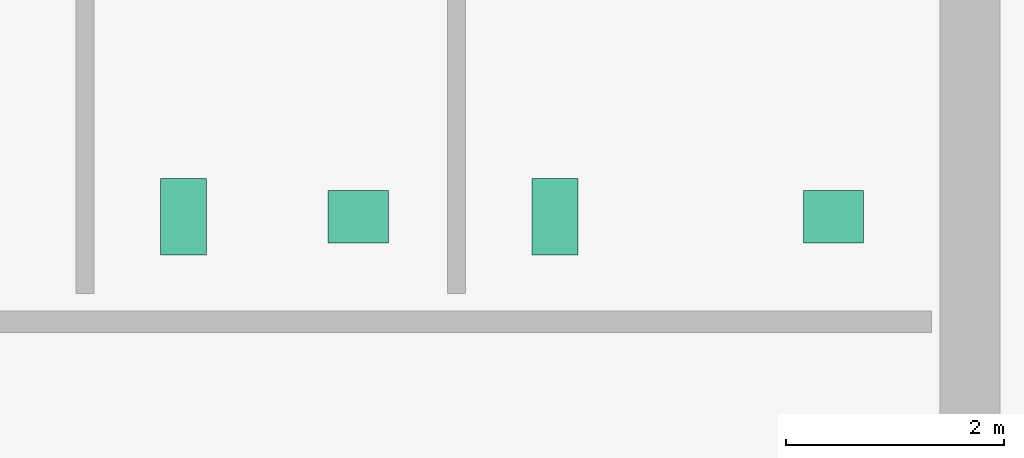
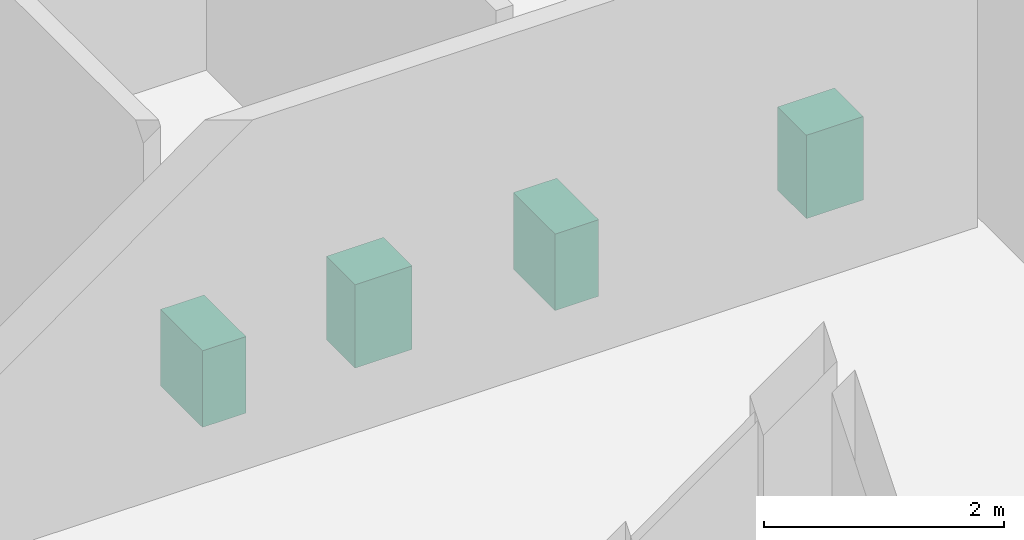
# One storey, part 10 of 10: 4 sanitary terminals.
"""IFC4 building model written with IfcOpenShell, lengths in metres."""

from ifc_helpers import new_model, si_unit, direction, frame, origin, origin_2d, place, context, subcontext, project, spatial, rectangle, extrude, material, type_object, element, save


model = new_model("IFC4")

# Units and contexts
model_context = context("Model", 3, precision=1e-05, world=origin(), true_north=direction((0.0, 1.0)))
body_context = subcontext(model_context, "Body", "Model", "MODEL_VIEW")
ifc_project = project(units=[si_unit("LENGTHUNIT", "METRE"), si_unit("AREAUNIT", "SQUARE_METRE"), si_unit("VOLUMEUNIT", "CUBIC_METRE"), si_unit("PLANEANGLEUNIT", "RADIAN"), si_unit("MASSUNIT", "GRAM", prefix="KILO")], contexts=[model_context])

# Site, building, storey
site_placement = place(None, origin())
site = spatial("IfcSite", under=ifc_project, at=site_placement, CompositionType="ELEMENT")
building_placement = place(site_placement, origin())
building = spatial("IfcBuilding", under=site, at=building_placement, Name="Norrvale University Quadrangle", CompositionType="ELEMENT")
storey_placement = place(building_placement, frame((0.0, 0.0, 265.800048828125)))
storey = spatial("IfcBuildingStorey", under=building, at=storey_placement, Name="L67", CompositionType="ELEMENT", Elevation=265.800048828125)

# Sanitary terminals
ifc_material = material(Name="Vitreous China Sanitaryware")
sanitary_terminal_type_1 = type_object("IfcSanitaryTerminalType", Name="Sanitary Wash Basin", PredefinedType="WASHHANDBASIN", material=ifc_material)
for number, where, z_axis, x_axis, name in (
    (1, (11.199951171875, 41.10009765625, 0.0), (0.0, 0.0, 1.0), (1.0, 0.0, 0.0), "Accessible Countertop Washbasin L67-1"),
    (2, (15.550048828125, 41.10009765625, 0.0), (0.0, 0.0, 1.0), (1.0, 0.0, 0.0), "Accessible Countertop Washbasin L67-2"),
):
    element("IfcSanitaryTerminal", number, at=place(storey_placement, frame(where, z_axis=z_axis, x_axis=x_axis)), inside=storey, type_object=sanitary_terminal_type_1, Name=name, PredefinedType="WASHHANDBASIN", context=body_context, shape_type="SweptSolid", body=[
        extrude(rectangle(XDim=0.550048828125, YDim=0.47998046875, at=origin_2d()), origin(), (0.0, 0.0, 1.0), 0.85009765625),
    ])
sanitary_terminal_type_2 = type_object("IfcSanitaryTerminalType", Name="Sanitary Water Closet", PredefinedType="TOILETPAN", material=ifc_material)
for number, where, z_axis, x_axis, name in (
    (3, (9.60009765625, 41.10009765625, 0.0), (0.0, 0.0, 1.0), (1.0, 0.0, 0.0), "Wall-Hung Water Closet L67-1"),
    (4, (13.0, 41.10009765625, 0.0), (0.0, 0.0, 1.0), (1.0, 0.0, 0.0), "Wall-Hung Water Closet L67-2"),
):
    element("IfcSanitaryTerminal", number, at=place(storey_placement, frame(where, z_axis=z_axis, x_axis=x_axis)), inside=storey, type_object=sanitary_terminal_type_2, Name=name, PredefinedType="TOILETPAN", context=body_context, shape_type="SweptSolid", body=[
        extrude(rectangle(XDim=0.419921875, YDim=0.699951171875, at=origin_2d()), origin(), (0.0, 0.0, 1.0), 0.780029296875),
    ])

save(model, "model.ifc")
